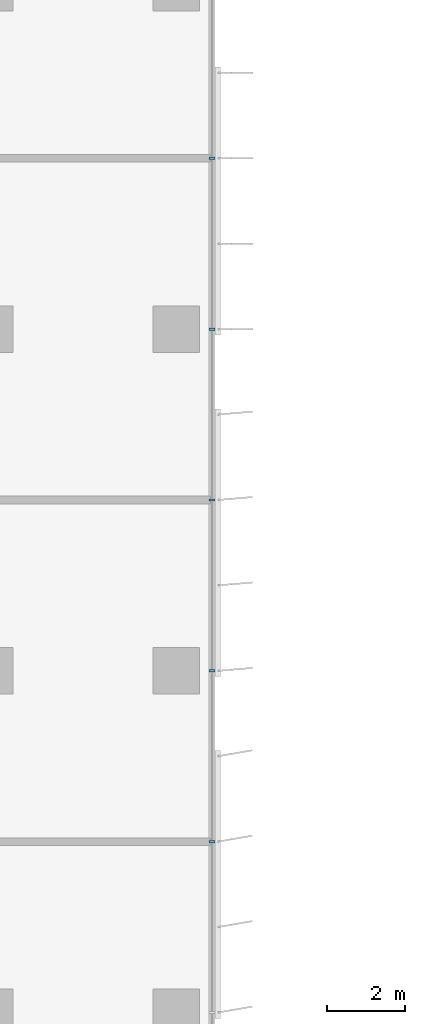
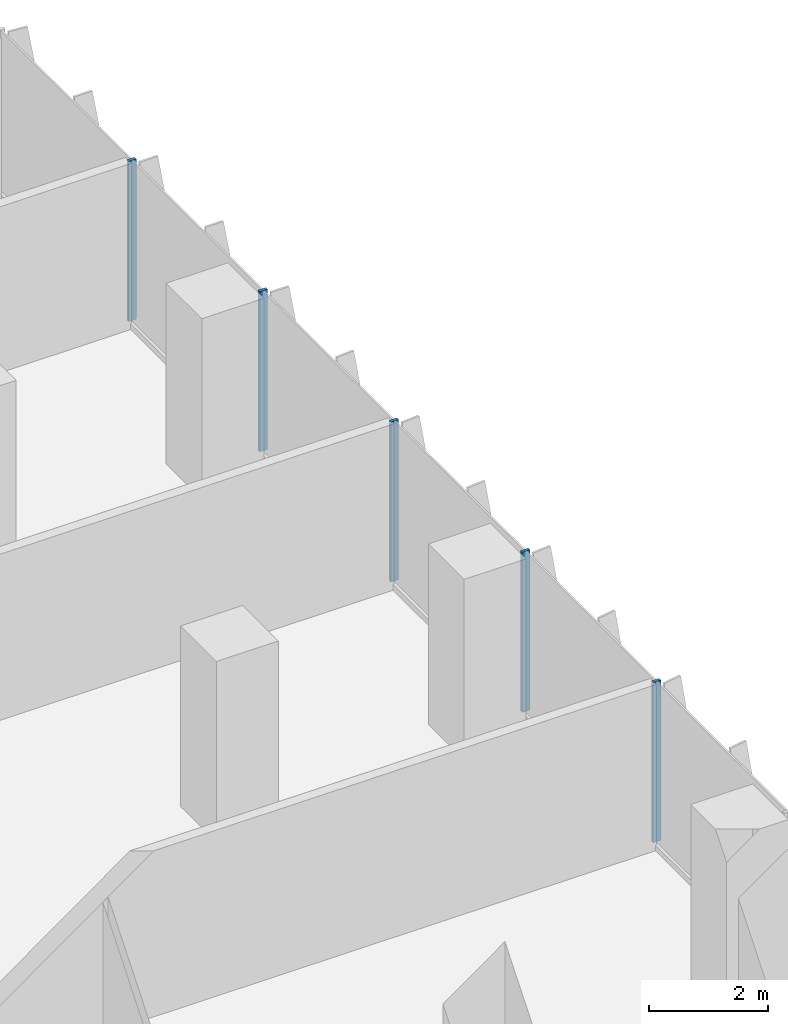
# One storey, part 5 of 27: 5 members, 1 element without a shape of its own.
"""IFC4 building model written with IfcOpenShell, lengths in metres."""

from ifc_helpers import new_model, si_unit, direction, frame, origin, origin_2d, place, context, subcontext, project, spatial, rectangle, extrude, source, transform, mapped, material, material_profile, profile_set, type_object, element, aggregate, save


model = new_model("IFC4")

# Units and contexts
model_context = context("Model", 3, precision=1e-05, world=origin(), true_north=direction((0.0, 1.0)))
body_context = subcontext(model_context, "Body", "Model", "MODEL_VIEW")
ifc_project = project(units=[si_unit("LENGTHUNIT", "METRE"), si_unit("AREAUNIT", "SQUARE_METRE"), si_unit("VOLUMEUNIT", "CUBIC_METRE"), si_unit("PLANEANGLEUNIT", "RADIAN"), si_unit("MASSUNIT", "GRAM", prefix="KILO")], contexts=[model_context])

# Site, building, storey
site_placement = place(None, origin())
site = spatial("IfcSite", under=ifc_project, at=site_placement, CompositionType="ELEMENT")
building_placement = place(site_placement, origin())
building = spatial("IfcBuilding", under=site, at=building_placement, Name="Kemantara Hotel Tower", CompositionType="ELEMENT")
storey_placement = place(building_placement, frame((0.0, 0.0, 83.39990234375)))
storey = spatial("IfcBuildingStorey", under=building, at=storey_placement, Name="L19", CompositionType="ELEMENT", Elevation=83.39990234375)

# Curtain wall, members
ifc_material_1 = material(Name="Low-E tinted double insulated glass 36 mm", Category="glass")
curtain_wall_type = type_object("IfcCurtainWallType", Name="TOWER CURTAIN WALL, FRONT FACES", PredefinedType="USERDEFINED", material=ifc_material_1)
curtain_wall_placement = place(storey_placement, origin())
curtain_wall = element("IfcCurtainWall", 1, at=curtain_wall_placement, inside=storey, type_object=curtain_wall_type, Name="CW4 L19 T2-R14-1", ObjectType="TOWER CURTAIN WALL, FRONT FACES", PredefinedType="USERDEFINED")
ifc_material_2 = material(Name="Aluminium 6063-T6 bronze anodised", Category="aluminium")
ifc_material_profile = material_profile(ifc_material_2, rectangle(XDim=0.14990234375, YDim=0.06005859375, at=origin_2d()), Name="TOWER CURTAIN WALL, FRONT FACES MULLION")
ifc_profile_set = profile_set([ifc_material_profile], Name="Aluminium 6063-T6 bronze anodised")
member_type = type_object("IfcMemberType", Name="TOWER CURTAIN WALL, FRONT FACES MULLION", PredefinedType="MULLION", material=ifc_profile_set)
shared_shape = source(origin(), body_context, "Body", "SweptSolid", [
    extrude(rectangle(XDim=0.14990234375, YDim=0.06005859375, at=origin_2d()), origin(), (0.0, 0.0, 1.0), 3.280029296875),
])
member_1_placement = place(storey_placement, frame((26.72509765625, 31.800048828125, 0.1201171875), z_axis=(0.0, 0.0, 1.0), x_axis=(-1.0, 0.0, 0.0)))
member_1 = element("IfcMember", 2, at=member_1_placement, type_object=member_type, Name="CW4 mullion T2-R14-1.4", PredefinedType="MULLION", context=body_context, shape_type="MappedRepresentation", body=[
    mapped(shared_shape, transform((0.0, 0.0, 0.0))),
])
member_2_placement = place(storey_placement, frame((26.72509765625, 36.199951171875, 0.1201171875), z_axis=(0.0, 0.0, 1.0), x_axis=(-1.0, 0.0, 0.0)))
member_2 = element("IfcMember", 3, at=member_2_placement, type_object=member_type, Name="CW4 mullion T2-R14-1.5", PredefinedType="MULLION", context=body_context, shape_type="MappedRepresentation", body=[
    mapped(shared_shape, transform((0.0, 0.0, 0.0))),
])
member_3_placement = place(storey_placement, frame((26.72509765625, 40.60009765625, 0.1201171875), z_axis=(0.0, 0.0, 1.0), x_axis=(-1.0, 0.0, 0.0)))
member_3 = element("IfcMember", 4, at=member_3_placement, type_object=member_type, Name="CW4 mullion T2-R14-1.6", PredefinedType="MULLION", context=body_context, shape_type="MappedRepresentation", body=[
    mapped(shared_shape, transform((0.0, 0.0, 0.0))),
])
member_4_placement = place(storey_placement, frame((26.72509765625, 45.0, 0.1201171875), z_axis=(0.0, 0.0, 1.0), x_axis=(-1.0, 0.0, 0.0)))
member_4 = element("IfcMember", 5, at=member_4_placement, type_object=member_type, Name="CW4 mullion T2-R14-1.7", PredefinedType="MULLION", context=body_context, shape_type="MappedRepresentation", body=[
    mapped(shared_shape, transform((0.0, 0.0, 0.0))),
])
member_5_placement = place(storey_placement, frame((26.72509765625, 49.39990234375, 0.1201171875), z_axis=(0.0, 0.0, 1.0), x_axis=(-1.0, 0.0, 0.0)))
member_5 = element("IfcMember", 6, at=member_5_placement, type_object=member_type, Name="CW4 mullion T2-R14-1.8", PredefinedType="MULLION", context=body_context, shape_type="MappedRepresentation", body=[
    mapped(shared_shape, transform((0.0, 0.0, 0.0))),
])
aggregate(curtain_wall, [member_1, member_2, member_3, member_4, member_5])

save(model, "model.ifc")
